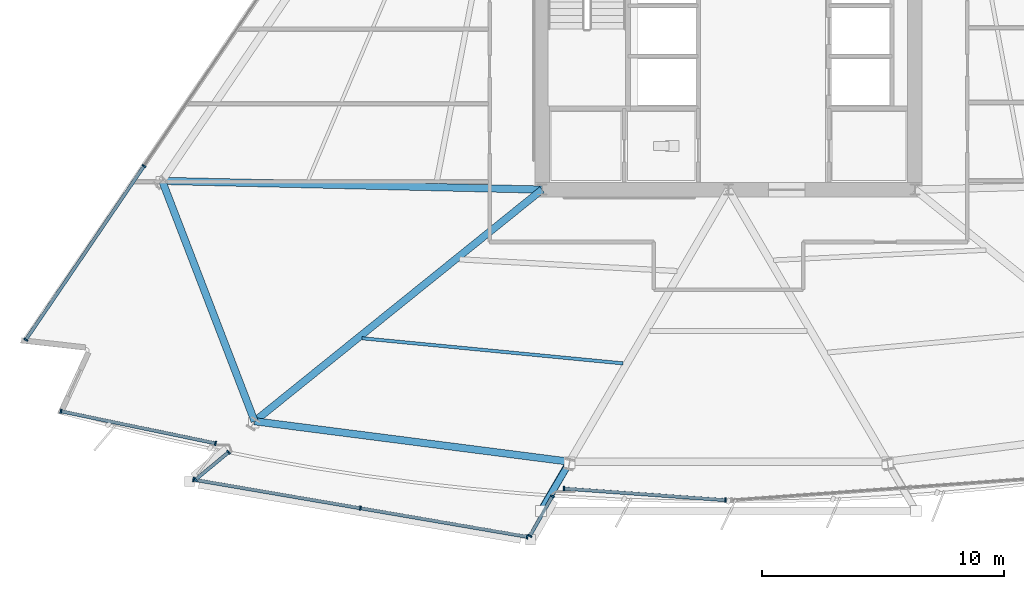
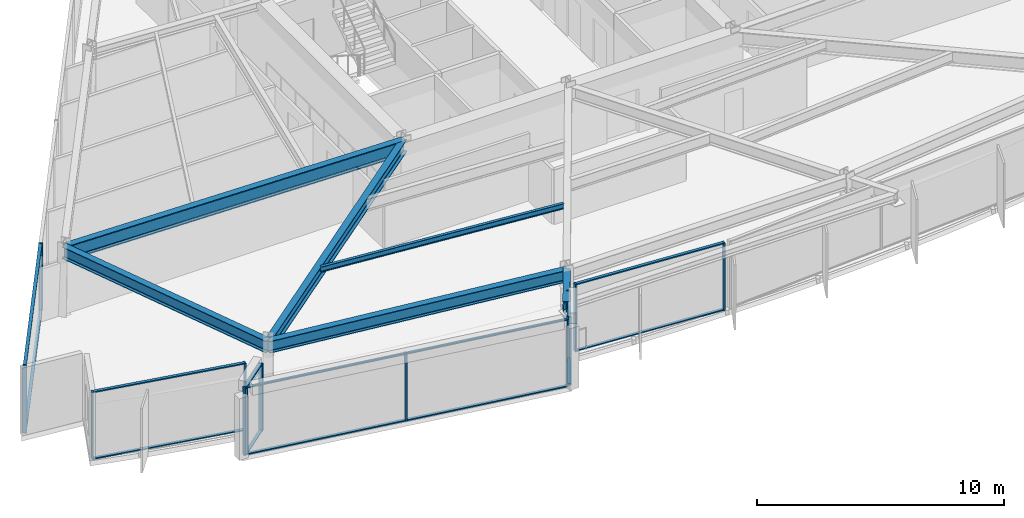
# One storey, part 2 of 17: 28 members, 6 beams, 6 elements without a shape of their own.
"""IFC4 building model written with IfcOpenShell, lengths in metres."""

from ifc_helpers import new_model, si_unit, direction, frame, origin, origin_2d, place, context, subcontext, project, spatial, rectangle, hollow_circle, i_section, extrude, material, material_profile, profile_set, type_object, element, aggregate, save


model = new_model("IFC4")

# Units and contexts
model_context = context("Model", 3, precision=1e-05, world=origin(), true_north=direction((0.0, 1.0)))
body_context = subcontext(model_context, "Body", "Model", "MODEL_VIEW")
ifc_project = project(units=[si_unit("LENGTHUNIT", "METRE"), si_unit("AREAUNIT", "SQUARE_METRE"), si_unit("VOLUMEUNIT", "CUBIC_METRE"), si_unit("PLANEANGLEUNIT", "RADIAN"), si_unit("MASSUNIT", "GRAM", prefix="KILO")], contexts=[model_context])

# Site, building, storey
site_placement = place(None, origin())
site = spatial("IfcSite", under=ifc_project, at=site_placement, CompositionType="ELEMENT")
building_placement = place(site_placement, origin())
building = spatial("IfcBuilding", under=site, at=building_placement, Name="Savorim Split Tower", CompositionType="ELEMENT")
storey_placement = place(building_placement, frame((0.0, 0.0, 62.39990234375)))
storey = spatial("IfcBuildingStorey", under=building, at=storey_placement, Name="L16", CompositionType="ELEMENT", Elevation=62.39990234375)

# Beams
ifc_material_1 = material(Name="Steel S355", Category="steel")
ifc_material_profile_1 = material_profile(ifc_material_1, i_section(OverallWidth=0.135009765625, OverallDepth=0.27001953125, WebThickness=0.006591796875, FlangeThickness=0.01025390625, FilletRadius=0.014892578125, at=origin_2d()), Name="IPE 270")
ifc_profile_set_1 = profile_set([ifc_material_profile_1], Name="Steel S355")
beam_type_1 = type_object("IfcBeamType", Name="BM-JST-IPE270", PredefinedType="JOIST", material=ifc_profile_set_1)
beam_1_placement = place(storey_placement, frame((-15.135986328125, -15.536865234375, 3.215087890625), z_axis=(0.995392864743, -0.095880367217, 0.0), x_axis=(0.095880367217, 0.995392864743, 0.0)))
element("IfcBeam", 1, at=beam_1_placement, inside=storey, type_object=beam_type_1, Name="L16 Secondary Floor Joist JS-01", PredefinedType="JOIST", context=body_context, shape_type="SweptSolid", body=[
    extrude(i_section(OverallWidth=0.135009765625, OverallDepth=0.27001953125, WebThickness=0.006591796875, FlangeThickness=0.01025390625, FilletRadius=0.014892578125, at=origin_2d()), origin(), (0.0, 0.0, 1.0), 10.829345703125),
])
ifc_material_profile_2 = material_profile(ifc_material_1, i_section(OverallWidth=0.300048828125, OverallDepth=0.550048828125, WebThickness=0.014892578125, FlangeThickness=0.029052734375, FilletRadius=0.027099609375, at=origin_2d()), Name="HEB 550")
ifc_profile_set_2 = profile_set([ifc_material_profile_2], Name="Steel S355")
beam_type_2 = type_object("IfcBeamType", Name="BM-PRI-HEB550", PredefinedType="BEAM", material=ifc_profile_set_2)
beam_2_placement = place(storey_placement, frame((-6.55810546875, -20.63525390625, 3.0751953125), z_axis=(-0.504161664164, -0.863609296145, 0.0), x_axis=(0.863609296145, -0.504161664164, 0.0)))
element("IfcBeam", 2, at=beam_2_placement, inside=storey, type_object=beam_type_2, Name="L16 Cantilevered Lounge Rib 1", PredefinedType="BEAM", context=body_context, shape_type="SweptSolid", body=[
    extrude(i_section(OverallWidth=0.300048828125, OverallDepth=0.550048828125, WebThickness=0.014892578125, FlangeThickness=0.029052734375, FilletRadius=0.027099609375, at=origin_2d()), origin(), (0.0, 0.0, 1.0), 2.35009765625),
])
ifc_material_profile_3 = material_profile(ifc_material_1, i_section(OverallWidth=0.300048828125, OverallDepth=0.60009765625, WebThickness=0.015380859375, FlangeThickness=0.030029296875, FilletRadius=0.027099609375, at=origin_2d()), Name="HEB 600")
ifc_profile_set_3 = profile_set([ifc_material_profile_3], Name="Steel S355")
beam_type_3 = type_object("IfcBeamType", Name="BM-PRI-HEB600", PredefinedType="BEAM", material=ifc_profile_set_3)
beam_3_placement = place(storey_placement, frame((-19.567626953125, -18.96484375, 3.050048828125), z_axis=(0.778597819997, 0.627523254307, 0.0), x_axis=(-0.627523254307, 0.778597819997, 0.0)))
element("IfcBeam", 3, at=beam_3_placement, inside=storey, type_object=beam_type_3, Name="L16 Primary Floor Girder RG-01", PredefinedType="BEAM", context=body_context, shape_type="SweptSolid", body=[
    extrude(i_section(OverallWidth=0.300048828125, OverallDepth=0.60009765625, WebThickness=0.015380859375, FlangeThickness=0.030029296875, FilletRadius=0.027099609375, at=origin_2d()), origin(), (0.0, 0.0, 1.0), 15.242431640625),
])
ifc_material_2 = material(Name="Steel S460", Category="steel")
ifc_material_profile_4 = material_profile(ifc_material_2, i_section(OverallWidth=0.303955078125, OverallDepth=0.716064453125, WebThickness=0.02099609375, FlangeThickness=0.0400390625, FilletRadius=0.027099609375, at=origin_2d()), Name="HE 700 M")
ifc_profile_set_4 = profile_set([ifc_material_profile_4], Name="Steel S460")
beam_type_4 = type_object("IfcBeamType", Name="BM-PRI-HEM700", PredefinedType="BEAM", material=ifc_profile_set_4)
beam_4_placement = place(storey_placement, frame((-23.38525390625, -9.038330078125, 2.9921875), z_axis=(0.999734416325, -0.023045537855, 0.0), x_axis=(0.023045537855, 0.999734416325, 0.0)))
element("IfcBeam", 4, at=beam_4_placement, inside=storey, type_object=beam_type_4, Name="L16 Primary Floor Girder RG-10", PredefinedType="BEAM", context=body_context, shape_type="SweptSolid", body=[
    extrude(i_section(OverallWidth=0.303955078125, OverallDepth=0.716064453125, WebThickness=0.02099609375, FlangeThickness=0.0400390625, FilletRadius=0.027099609375, at=origin_2d()), origin(), (0.0, 0.0, 1.0), 15.689453125),
])
ifc_material_profile_5 = material_profile(ifc_material_1, i_section(OverallWidth=0.300048828125, OverallDepth=0.590087890625, WebThickness=0.012939453125, FlangeThickness=0.02490234375, FilletRadius=0.027099609375, at=origin_2d()), Name="HEA 600")
ifc_profile_set_5 = profile_set([ifc_material_profile_5], Name="Steel S355")
beam_type_5 = type_object("IfcBeamType", Name="BM-SPN-HEA600", PredefinedType="SPANDREL", material=ifc_profile_set_5)
beam_5_placement = place(storey_placement, frame((-19.567626953125, -18.96484375, 3.05517578125), z_axis=(0.991857386483, -0.127353542859, 0.0), x_axis=(0.127353542859, 0.991857386483, 0.0)))
element("IfcBeam", 5, at=beam_5_placement, inside=storey, type_object=beam_type_5, Name="L16 Perimeter Spandrel Beam 1", PredefinedType="SPANDREL", context=body_context, shape_type="SweptSolid", body=[
    extrude(i_section(OverallWidth=0.300048828125, OverallDepth=0.590087890625, WebThickness=0.012939453125, FlangeThickness=0.02490234375, FilletRadius=0.027099609375, at=origin_2d()), origin(), (0.0, 0.0, 1.0), 13.1162109375),
])
beam_6_placement = place(storey_placement, frame((-23.38525390625, -9.038330078125, 3.05517578125), z_axis=(0.358957543498, -0.933353888922, 0.0), x_axis=(0.933353888922, 0.358957543498, 0.0)))
element("IfcBeam", 6, at=beam_6_placement, inside=storey, type_object=beam_type_5, Name="L16 Perimeter Spandrel Beam 10", PredefinedType="SPANDREL", context=body_context, shape_type="SweptSolid", body=[
    extrude(i_section(OverallWidth=0.300048828125, OverallDepth=0.590087890625, WebThickness=0.012939453125, FlangeThickness=0.02490234375, FilletRadius=0.027099609375, at=origin_2d()), origin(), (0.0, 0.0, 1.0), 10.63525390625),
])

# Curtain wall, members
ifc_material_3 = material(Name="Dark Ceramic-Fritted Insulated Glass", Category="glass")
curtain_wall_type_1 = type_object("IfcCurtainWallType", Name="CW-TWR-FRIT-A", PredefinedType="NOTDEFINED", material=ifc_material_3)
curtain_wall_1_placement = place(storey_placement, origin())
curtain_wall_1 = element("IfcCurtainWall", 7, at=curtain_wall_1_placement, inside=storey, type_object=curtain_wall_type_1, Name="L16 Curtain Wall CW-L16-SF1A", PredefinedType="NOTDEFINED")
ifc_material_4 = material(Name="Charcoal Anodised Aluminium", Category="aluminium")
ifc_material_profile_6 = material_profile(ifc_material_4, rectangle(XDim=0.179931640625, YDim=0.06494140625, at=origin_2d()), Name="ALU-M 180x65")
ifc_profile_set_6 = profile_set([ifc_material_profile_6], Name="Charcoal Anodised Aluminium")
member_type_1 = type_object("IfcMemberType", Name="CWM-180x65", PredefinedType="MULLION", material=ifc_profile_set_6)
member_1_placement = place(storey_placement, frame((-27.564208984375, -18.551025390625, 0.0), z_axis=(0.0, 0.0, 1.0), x_axis=(0.203209584628, 0.979135263748, 0.0)))
member_1 = element("IfcMember", 8, at=member_1_placement, type_object=member_type_1, Name="CW-02 mullion 1", PredefinedType="MULLION", context=body_context, shape_type="SweptSolid", body=[
    extrude(rectangle(XDim=0.179931640625, YDim=0.06494140625, at=origin_2d()), origin(), (0.0, 0.0, 1.0), 3.35009765625),
])
member_2_placement = place(storey_placement, frame((-21.184814453125, -19.875, 0.0), z_axis=(0.0, 0.0, 1.0), x_axis=(0.203209584628, 0.979135263748, 0.0)))
member_2 = element("IfcMember", 9, at=member_2_placement, type_object=member_type_1, Name="CW-02 mullion 2", PredefinedType="MULLION", context=body_context, shape_type="SweptSolid", body=[
    extrude(rectangle(XDim=0.179931640625, YDim=0.06494140625, at=origin_2d()), origin(), (0.0, 0.0, 1.0), 3.35009765625),
])

curtain_wall_2_placement = place(storey_placement, origin())
curtain_wall_2 = element("IfcCurtainWall", 10, at=curtain_wall_2_placement, inside=storey, type_object=curtain_wall_type_1, Name="L16 Curtain Wall CW-L16-SF2A", PredefinedType="NOTDEFINED")
member_3_placement = place(storey_placement, frame((-6.79541015625, -21.74267578125, 0.0), z_axis=(0.0, 0.0, 1.0), x_axis=(0.071558503422, 0.997436404283, 0.0)))
member_3 = element("IfcMember", 11, at=member_3_placement, type_object=member_type_1, Name="CW-02 mullion 1", PredefinedType="MULLION", context=body_context, shape_type="SweptSolid", body=[
    extrude(rectangle(XDim=0.179931640625, YDim=0.06494140625, at=origin_2d()), origin(), (0.0, 0.0, 1.0), 3.35009765625),
])
member_4_placement = place(storey_placement, frame((-0.12353515625, -22.22119140625, 0.0), z_axis=(0.0, 0.0, 1.0), x_axis=(0.071558503422, 0.997436404283, 0.0)))
member_4 = element("IfcMember", 12, at=member_4_placement, type_object=member_type_1, Name="CW-02 mullion 2", PredefinedType="MULLION", context=body_context, shape_type="SweptSolid", body=[
    extrude(rectangle(XDim=0.179931640625, YDim=0.06494140625, at=origin_2d()), origin(), (0.0, 0.0, 1.0), 3.35009765625),
])

curtain_wall_type_2 = type_object("IfcCurtainWallType", Name="CW-BAY-LOUNGE", PredefinedType="NOTDEFINED", material=ifc_material_3)
curtain_wall_3_placement = place(storey_placement, origin())
curtain_wall_3 = element("IfcCurtainWall", 13, at=curtain_wall_3_placement, inside=storey, type_object=curtain_wall_type_2, Name="L16 Curtain Wall CW-L16-BAYF", PredefinedType="NOTDEFINED")
member_5_placement = place(storey_placement, frame((-22.08837890625, -21.374267578125, 0.0), z_axis=(0.0, 0.0, 1.0), x_axis=(0.168922704446, 0.985629301473, 0.0)))
member_5 = element("IfcMember", 14, at=member_5_placement, type_object=member_type_1, Name="CW-04 mullion 1", PredefinedType="MULLION", context=body_context, shape_type="SweptSolid", body=[
    extrude(rectangle(XDim=0.179931640625, YDim=0.06494140625, at=origin_2d()), origin(), (0.0, 0.0, 1.0), 3.35009765625),
])
member_6_placement = place(storey_placement, frame((-15.19970703125, -22.554931640625, 0.0), z_axis=(0.0, 0.0, 1.0), x_axis=(0.168922704446, 0.985629301473, 0.0)))
member_6 = element("IfcMember", 15, at=member_6_placement, type_object=member_type_1, Name="CW-04 mullion 2", PredefinedType="MULLION", context=body_context, shape_type="SweptSolid", body=[
    extrude(rectangle(XDim=0.179931640625, YDim=0.06494140625, at=origin_2d()), origin(), (0.0, 0.0, 1.0), 3.35009765625),
])
member_7_placement = place(storey_placement, frame((-8.31103515625, -23.735595703125, 0.0), z_axis=(0.0, 0.0, 1.0), x_axis=(0.168922704446, 0.985629301473, 0.0)))
member_7 = element("IfcMember", 16, at=member_7_placement, type_object=member_type_1, Name="CW-04 mullion 3", PredefinedType="MULLION", context=body_context, shape_type="SweptSolid", body=[
    extrude(rectangle(XDim=0.179931640625, YDim=0.06494140625, at=origin_2d()), origin(), (0.0, 0.0, 1.0), 3.35009765625),
])

curtain_wall_4_placement = place(storey_placement, origin())
curtain_wall_4 = element("IfcCurtainWall", 17, at=curtain_wall_4_placement, inside=storey, type_object=curtain_wall_type_2, Name="L16 Curtain Wall CW-L16-BAYW", PredefinedType="NOTDEFINED")
member_8_placement = place(storey_placement, frame((-20.645263671875, -20.244140625, 0.0), z_axis=(0.0, 0.0, 1.0), x_axis=(0.637607864358, -0.770361091507, 0.0)))
member_8 = element("IfcMember", 18, at=member_8_placement, type_object=member_type_1, Name="CW-04 mullion 1", PredefinedType="MULLION", context=body_context, shape_type="SweptSolid", body=[
    extrude(rectangle(XDim=0.179931640625, YDim=0.06494140625, at=origin_2d()), origin(), (0.0, 0.0, 1.0), 3.35009765625),
])
member_9_placement = place(storey_placement, frame((-22.0087890625, -21.37255859375, 0.0), z_axis=(0.0, 0.0, 1.0), x_axis=(0.637607864358, -0.770361091507, 0.0)))
member_9 = element("IfcMember", 19, at=member_9_placement, type_object=member_type_1, Name="CW-04 mullion 2", PredefinedType="MULLION", context=body_context, shape_type="SweptSolid", body=[
    extrude(rectangle(XDim=0.179931640625, YDim=0.06494140625, at=origin_2d()), origin(), (0.0, 0.0, 1.0), 3.35009765625),
])

curtain_wall_5_placement = place(storey_placement, origin())
curtain_wall_5 = element("IfcCurtainWall", 20, at=curtain_wall_5_placement, inside=storey, type_object=curtain_wall_type_2, Name="L16 Curtain Wall CW-L16-BAYE", PredefinedType="NOTDEFINED")
member_10_placement = place(storey_placement, frame((-8.199462890625, -23.6953125, 0.0), z_axis=(0.0, 0.0, 1.0), x_axis=(-0.870448573332, 0.492259363735, 0.0)))
member_10 = element("IfcMember", 21, at=member_10_placement, type_object=member_type_1, Name="CW-04 mullion 1", PredefinedType="MULLION", context=body_context, shape_type="SweptSolid", body=[
    extrude(rectangle(XDim=0.179931640625, YDim=0.06494140625, at=origin_2d()), origin(), (0.0, 0.0, 1.0), 3.35009765625),
])
member_11_placement = place(storey_placement, frame((-7.2763671875, -22.06298828125, 0.0), z_axis=(0.0, 0.0, 1.0), x_axis=(-0.870448573332, 0.492259363735, 0.0)))
member_11 = element("IfcMember", 22, at=member_11_placement, type_object=member_type_1, Name="CW-04 mullion 2", PredefinedType="MULLION", context=body_context, shape_type="SweptSolid", body=[
    extrude(rectangle(XDim=0.179931640625, YDim=0.06494140625, at=origin_2d()), origin(), (0.0, 0.0, 1.0), 3.35009765625),
])

curtain_wall_6_placement = place(storey_placement, origin())
curtain_wall_6 = element("IfcCurtainWall", 23, at=curtain_wall_6_placement, inside=storey, type_object=curtain_wall_type_1, Name="L16 Curtain Wall CW-L16-WEST", PredefinedType="NOTDEFINED")
member_12_placement = place(storey_placement, frame((-24.13720703125, -8.42578125, 0.0), z_axis=(0.0, 0.0, 1.0), x_axis=(0.826820172644, -0.562466356423, 0.0)))
member_12 = element("IfcMember", 24, at=member_12_placement, type_object=member_type_1, Name="CW-02 mullion 4", PredefinedType="MULLION", context=body_context, shape_type="SweptSolid", body=[
    extrude(rectangle(XDim=0.179931640625, YDim=0.06494140625, at=origin_2d()), origin(), (0.0, 0.0, 1.0), 3.35009765625),
])
member_13_placement = place(storey_placement, frame((-29.014404296875, -15.59521484375, 0.0), z_axis=(0.0, 0.0, 1.0), x_axis=(0.826820172644, -0.562466356423, 0.0)))
member_13 = element("IfcMember", 25, at=member_13_placement, type_object=member_type_1, Name="CW-02 mullion 5", PredefinedType="MULLION", context=body_context, shape_type="SweptSolid", body=[
    extrude(rectangle(XDim=0.179931640625, YDim=0.06494140625, at=origin_2d()), origin(), (0.0, 0.0, 1.0), 3.35009765625),
])

# Member
ifc_material_profile_7 = material_profile(ifc_material_4, rectangle(XDim=0.139892578125, YDim=0.054931640625, at=origin_2d()), Name="ALU-T 140x55")
ifc_profile_set_7 = profile_set([ifc_material_profile_7], Name="Charcoal Anodised Aluminium")
member_type_2 = type_object("IfcMemberType", Name="CWT-140x55", PredefinedType="USERDEFINED", material=ifc_profile_set_7)
member_14_placement = place(storey_placement, frame((-27.532470703125, -18.5576171875, 0.027587890625), z_axis=(0.97913568463, -0.203207556659, 0.0), x_axis=(0.203207556659, 0.97913568463, 0.0)))
member_14 = element("IfcMember", 26, at=member_14_placement, type_object=member_type_2, Name="CW-02 transom 1.1", ObjectType="TRANSOM", PredefinedType="USERDEFINED", context=body_context, shape_type="SweptSolid", body=[
    extrude(rectangle(XDim=0.139892578125, YDim=0.054931640625, at=origin_2d()), origin(), (0.0, 0.0, 1.0), 6.450439453125),
])

member_15_placement = place(storey_placement, frame((-27.532470703125, -18.5576171875, 3.322509765625), z_axis=(0.97913568463, -0.203207556659, 0.0), x_axis=(0.203207556659, 0.97913568463, 0.0)))
member_15 = element("IfcMember", 27, at=member_15_placement, type_object=member_type_2, Name="CW-02 transom 1.2", ObjectType="TRANSOM", PredefinedType="USERDEFINED", context=body_context, shape_type="SweptSolid", body=[
    extrude(rectangle(XDim=0.139892578125, YDim=0.054931640625, at=origin_2d()), origin(), (0.0, 0.0, 1.0), 6.450439453125),
])

aggregate(curtain_wall_1, [member_1, member_2, member_14, member_15])

member_16_placement = place(storey_placement, frame((-6.762939453125, -21.744873046875, 0.027587890625), z_axis=(0.99743507146, -0.071577078885, 0.0), x_axis=(0.071577078885, 0.99743507146, 0.0)))
member_16 = element("IfcMember", 28, at=member_16_placement, type_object=member_type_2, Name="CW-02 transom 1.1", ObjectType="TRANSOM", PredefinedType="USERDEFINED", context=body_context, shape_type="SweptSolid", body=[
    extrude(rectangle(XDim=0.139892578125, YDim=0.054931640625, at=origin_2d()), origin(), (0.0, 0.0, 1.0), 6.6240234375),
])

member_17_placement = place(storey_placement, frame((-6.762939453125, -21.744873046875, 3.322509765625), z_axis=(0.99743507146, -0.071577078885, 0.0), x_axis=(0.071577078885, 0.99743507146, 0.0)))
member_17 = element("IfcMember", 29, at=member_17_placement, type_object=member_type_2, Name="CW-02 transom 1.2", ObjectType="TRANSOM", PredefinedType="USERDEFINED", context=body_context, shape_type="SweptSolid", body=[
    extrude(rectangle(XDim=0.139892578125, YDim=0.054931640625, at=origin_2d()), origin(), (0.0, 0.0, 1.0), 6.6240234375),
])

aggregate(curtain_wall_2, [member_3, member_4, member_16, member_17])

member_18_placement = place(storey_placement, frame((-22.05615234375, -21.3798828125, 0.027587890625), z_axis=(0.985633661162, -0.168897264586, 0.0), x_axis=(0.168897264586, 0.985633661162, 0.0)))
member_18 = element("IfcMember", 30, at=member_18_placement, type_object=member_type_2, Name="CW-04 transom 1.1", ObjectType="TRANSOM", PredefinedType="USERDEFINED", context=body_context, shape_type="SweptSolid", body=[
    extrude(rectangle(XDim=0.139892578125, YDim=0.054931640625, at=origin_2d()), origin(), (0.0, 0.0, 1.0), 6.923828125),
])

member_19_placement = place(storey_placement, frame((-22.05615234375, -21.3798828125, 3.322509765625), z_axis=(0.985633661162, -0.168897264586, 0.0), x_axis=(0.168897264586, 0.985633661162, 0.0)))
member_19 = element("IfcMember", 31, at=member_19_placement, type_object=member_type_2, Name="CW-04 transom 1.2", ObjectType="TRANSOM", PredefinedType="USERDEFINED", context=body_context, shape_type="SweptSolid", body=[
    extrude(rectangle(XDim=0.139892578125, YDim=0.054931640625, at=origin_2d()), origin(), (0.0, 0.0, 1.0), 6.923828125),
])

member_20_placement = place(storey_placement, frame((-15.167724609375, -22.560302734375, 0.027587890625), z_axis=(0.985628796973, -0.168925648075, 0.0), x_axis=(0.168925648075, 0.985628796973, 0.0)))
member_20 = element("IfcMember", 32, at=member_20_placement, type_object=member_type_2, Name="CW-04 transom 2.1", ObjectType="TRANSOM", PredefinedType="USERDEFINED", context=body_context, shape_type="SweptSolid", body=[
    extrude(rectangle(XDim=0.139892578125, YDim=0.054931640625, at=origin_2d()), origin(), (0.0, 0.0, 1.0), 6.92431640625),
])

member_21_placement = place(storey_placement, frame((-15.167724609375, -22.560302734375, 3.322509765625), z_axis=(0.985628796973, -0.168925648075, 0.0), x_axis=(0.168925648075, 0.985628796973, 0.0)))
member_21 = element("IfcMember", 33, at=member_21_placement, type_object=member_type_2, Name="CW-04 transom 2.2", ObjectType="TRANSOM", PredefinedType="USERDEFINED", context=body_context, shape_type="SweptSolid", body=[
    extrude(rectangle(XDim=0.139892578125, YDim=0.054931640625, at=origin_2d()), origin(), (0.0, 0.0, 1.0), 6.92431640625),
])

aggregate(curtain_wall_3, [member_5, member_6, member_7, member_18, member_19, member_20, member_21])

member_22_placement = place(storey_placement, frame((-20.670166015625, -20.264892578125, 0.027587890625), z_axis=(-0.770353090982, -0.63761753051, 0.0), x_axis=(0.63761753051, -0.770353090982, 0.0)))
member_22 = element("IfcMember", 34, at=member_22_placement, type_object=member_type_2, Name="CW-04 transom 1.1", ObjectType="TRANSOM", PredefinedType="USERDEFINED", context=body_context, shape_type="SweptSolid", body=[
    extrude(rectangle(XDim=0.139892578125, YDim=0.054931640625, at=origin_2d()), origin(), (0.0, 0.0, 1.0), 1.705078125),
])

member_23_placement = place(storey_placement, frame((-20.670166015625, -20.264892578125, 3.322509765625), z_axis=(-0.770353090982, -0.63761753051, 0.0), x_axis=(0.63761753051, -0.770353090982, 0.0)))
member_23 = element("IfcMember", 35, at=member_23_placement, type_object=member_type_2, Name="CW-04 transom 1.2", ObjectType="TRANSOM", PredefinedType="USERDEFINED", context=body_context, shape_type="SweptSolid", body=[
    extrude(rectangle(XDim=0.139892578125, YDim=0.054931640625, at=origin_2d()), origin(), (0.0, 0.0, 1.0), 1.705078125),
])

aggregate(curtain_wall_4, [member_8, member_9, member_22, member_23])

member_24_placement = place(storey_placement, frame((-8.183349609375, -23.6669921875, 0.027587890625), z_axis=(0.492168362431, 0.870500030455, 0.0), x_axis=(-0.870500030455, 0.492168362431, 0.0)))
member_24 = element("IfcMember", 36, at=member_24_placement, type_object=member_type_2, Name="CW-04 transom 1.1", ObjectType="TRANSOM", PredefinedType="USERDEFINED", context=body_context, shape_type="SweptSolid", body=[
    extrude(rectangle(XDim=0.139892578125, YDim=0.054931640625, at=origin_2d()), origin(), (0.0, 0.0, 1.0), 1.81005859375),
])

member_25_placement = place(storey_placement, frame((-8.183349609375, -23.6669921875, 3.322509765625), z_axis=(0.492168362431, 0.870500030455, 0.0), x_axis=(-0.870500030455, 0.492168362431, 0.0)))
member_25 = element("IfcMember", 37, at=member_25_placement, type_object=member_type_2, Name="CW-04 transom 1.2", ObjectType="TRANSOM", PredefinedType="USERDEFINED", context=body_context, shape_type="SweptSolid", body=[
    extrude(rectangle(XDim=0.139892578125, YDim=0.054931640625, at=origin_2d()), origin(), (0.0, 0.0, 1.0), 1.81005859375),
])

aggregate(curtain_wall_5, [member_10, member_11, member_24, member_25])

member_26_placement = place(storey_placement, frame((-24.155517578125, -8.45263671875, 0.027587890625), z_axis=(-0.562459768651, -0.826824654113, 0.0), x_axis=(0.826824654113, -0.562459768651, 0.0)))
member_26 = element("IfcMember", 38, at=member_26_placement, type_object=member_type_2, Name="CW-02 transom 4.1", ObjectType="TRANSOM", PredefinedType="USERDEFINED", context=body_context, shape_type="SweptSolid", body=[
    extrude(rectangle(XDim=0.139892578125, YDim=0.054931640625, at=origin_2d()), origin(), (0.0, 0.0, 1.0), 8.606201171875),
])

member_27_placement = place(storey_placement, frame((-24.155517578125, -8.45263671875, 3.322509765625), z_axis=(-0.562459768651, -0.826824654113, 0.0), x_axis=(0.826824654113, -0.562459768651, 0.0)))
member_27 = element("IfcMember", 39, at=member_27_placement, type_object=member_type_2, Name="CW-02 transom 4.2", ObjectType="TRANSOM", PredefinedType="USERDEFINED", context=body_context, shape_type="SweptSolid", body=[
    extrude(rectangle(XDim=0.139892578125, YDim=0.054931640625, at=origin_2d()), origin(), (0.0, 0.0, 1.0), 8.606201171875),
])

aggregate(curtain_wall_6, [member_12, member_13, member_26, member_27])

ifc_material_profile_8 = material_profile(ifc_material_1, hollow_circle(Radius=0.136474609375, WallThickness=0.01611328125, at=origin_2d()), Name="CHS 273x16")
ifc_profile_set_8 = profile_set([ifc_material_profile_8], Name="Steel S355")
member_type_3 = type_object("IfcMemberType", Name="MBR-CRN-CHS273", PredefinedType="BRACE", material=ifc_profile_set_8)
member_28_placement = place(storey_placement, frame((-6.566162109375, -20.675537109375, 2.4501953125), z_axis=(-0.502745124775, -0.8498687296, 0.158020511211), x_axis=(0.860682490875, -0.509142072413, 0.0)))
element("IfcMember", 40, at=member_28_placement, inside=storey, type_object=member_type_3, Name="L16 Cantilevered Bay Support Strut 1", PredefinedType="BRACE", context=body_context, shape_type="SweptSolid", body=[
    extrude(hollow_circle(Radius=0.136474609375, WallThickness=0.01611328125, at=origin_2d()), origin(), (0.0, 0.0, 1.0), 2.340576171875),
])

save(model, "model.ifc")
